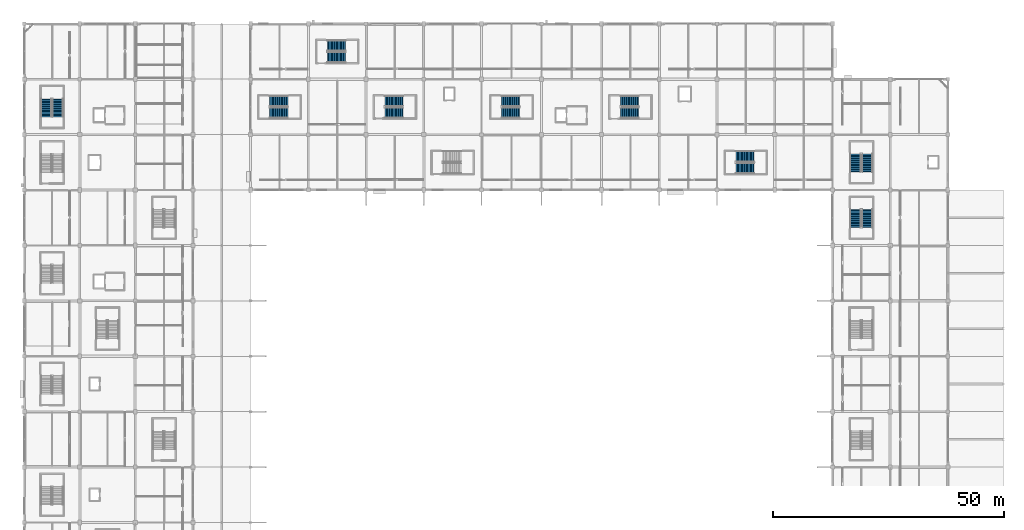
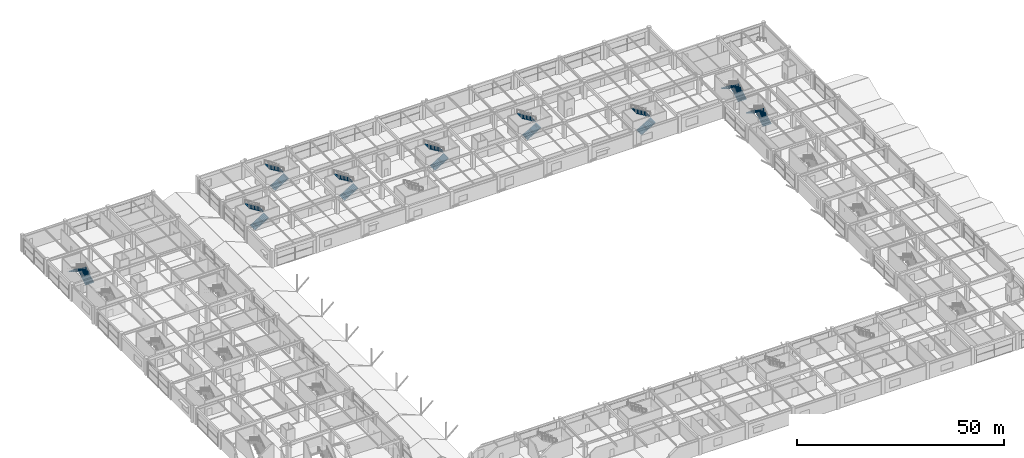
# One storey, part 85 of 116: 18 stair flights, 9 elements without a shape of their own.
"""IFC4 building model written with IfcOpenShell, lengths in metres."""

from ifc_helpers import new_model, si_unit, direction, frame, origin, place, context, subcontext, project, spatial, polyline, outline, extrude, material, type_object, element, aggregate, save


model = new_model("IFC4")

# Units and contexts
model_context = context("Model", 3, precision=1e-05, world=origin(), true_north=direction((0.0, 1.0)))
body_context = subcontext(model_context, "Body", "Model", "MODEL_VIEW")
ifc_project = project(units=[si_unit("LENGTHUNIT", "METRE"), si_unit("AREAUNIT", "SQUARE_METRE"), si_unit("VOLUMEUNIT", "CUBIC_METRE"), si_unit("PLANEANGLEUNIT", "RADIAN"), si_unit("MASSUNIT", "GRAM", prefix="KILO")], contexts=[model_context])

# Site, building, storey
site_placement = place(None, origin())
site = spatial("IfcSite", under=ifc_project, at=site_placement, CompositionType="ELEMENT")
building_placement = place(site_placement, origin())
building = spatial("IfcBuilding", under=site, at=building_placement, Name="Kazenohara Klinker Stadium", CompositionType="ELEMENT")
storey_placement = place(building_placement, frame((0.0, 0.0, 10.199951171875)))
storey = spatial("IfcBuildingStorey", under=building, at=storey_placement, Name="L02", CompositionType="ELEMENT", Elevation=10.199951171875)

# Stair, stair flights
ifc_material = material(Name="Concrete C40/50", Category="concrete")
stair_type_1 = type_object("IfcStairType", Name="STR-DL-2300", PredefinedType="HALF_TURN_STAIR", material=ifc_material)
stair_1_placement = place(storey_placement, origin())
stair_1 = element("IfcStair", 1, at=stair_1_placement, inside=storey, type_object=stair_type_1, Name="L02 Enclosed escape stair ST09", PredefinedType="HALF_TURN_STAIR")
stair_flight_type_1 = type_object("IfcStairFlightType", Name="FLT-DL-2300-5100", PredefinedType="STRAIGHT", material=ifc_material)
stair_flight_1_placement = place(storey_placement, frame((78.090087890625, 148.75, 0.0), z_axis=(0.0, 0.0, 1.0), x_axis=(1.0, 0.0, 0.0)))
stair_flight_1 = element("IfcStairFlight", 2, at=stair_flight_1_placement, type_object=stair_flight_type_1, Name="ST09 flight 1", NumberOfRisers=15, NumberOfTreads=14, PredefinedType="STRAIGHT", RiserHeight=0.17, TreadLength=0.28, context=body_context, shape_type="SweptSolid", body=[
    extrude(outline(polyline([(0.0, 0.0), (0.0, 0.169921875), (0.280029296875, 0.169921875), (0.280029296875, 0.340087890625), (0.56005859375, 0.340087890625), (0.56005859375, 0.510009765625), (0.840087890625, 0.510009765625), (0.840087890625, 0.679931640625), (1.1201171875, 0.679931640625), (1.1201171875, 0.85009765625), (1.39990234375, 0.85009765625), (1.39990234375, 1.02001953125), (1.679931640625, 1.02001953125), (1.679931640625, 1.18994140625), (1.9599609375, 1.18994140625), (1.9599609375, 1.360107421875), (2.239990234375, 1.360107421875), (2.239990234375, 1.530029296875), (2.52001953125, 1.530029296875), (2.52001953125, 1.699951171875), (2.800048828125, 1.699951171875), (2.800048828125, 1.8701171875), (3.080078125, 1.8701171875), (3.080078125, 2.0400390625), (3.360107421875, 2.0400390625), (3.360107421875, 2.2099609375), (3.639892578125, 2.2099609375), (3.639892578125, 2.3798828125), (3.919921875, 2.3798828125), (3.919921875, 2.550048828125), (3.919921875, 2.20458984375), (0.288818359375, 0.0), (0.0, 0.0)])), frame((0.0, 1.14990234375, 0.0), z_axis=(0.0, -1.0, 0.0), x_axis=(1.0, 0.0, 0.0)), (0.0, 0.0, 1.0), 2.300048828125),
])
stair_flight_2_placement = place(storey_placement, frame((82.010009765625, 151.25, 2.550048828125), z_axis=(0.0, 0.0, 1.0), x_axis=(-1.0, 0.0, 0.0)))
stair_flight_2 = element("IfcStairFlight", 3, at=stair_flight_2_placement, type_object=stair_flight_type_1, Name="ST09 flight 2", NumberOfRisers=15, NumberOfTreads=14, PredefinedType="STRAIGHT", RiserHeight=0.17, TreadLength=0.28, context=body_context, shape_type="SweptSolid", body=[
    extrude(outline(polyline([(0.0, 0.0), (0.0, 0.169921875), (0.280029296875, 0.169921875), (0.280029296875, 0.340087890625), (0.56005859375, 0.340087890625), (0.56005859375, 0.510009765625), (0.840087890625, 0.510009765625), (0.840087890625, 0.679931640625), (1.1201171875, 0.679931640625), (1.1201171875, 0.85009765625), (1.39990234375, 0.85009765625), (1.39990234375, 1.02001953125), (1.679931640625, 1.02001953125), (1.679931640625, 1.18994140625), (1.9599609375, 1.18994140625), (1.9599609375, 1.360107421875), (2.239990234375, 1.360107421875), (2.239990234375, 1.530029296875), (2.52001953125, 1.530029296875), (2.52001953125, 1.699951171875), (2.800048828125, 1.699951171875), (2.800048828125, 1.8701171875), (3.080078125, 1.8701171875), (3.080078125, 2.0400390625), (3.360107421875, 2.0400390625), (3.360107421875, 2.2099609375), (3.639892578125, 2.2099609375), (3.639892578125, 2.3798828125), (3.919921875, 2.3798828125), (3.919921875, 2.550048828125), (3.919921875, 2.20458984375), (0.288818359375, 0.0), (0.0, 0.0)])), frame((0.0, 1.14990234375, 0.0), z_axis=(0.0, -1.0, 0.0), x_axis=(1.0, 0.0, 0.0)), (0.0, 0.0, 1.0), 2.300048828125),
])
aggregate(stair_1, [stair_flight_1, stair_flight_2])

stair_type_2 = type_object("IfcStairType", Name="STR-DL-2310", PredefinedType="HALF_TURN_STAIR", material=ifc_material)
stair_2_placement = place(storey_placement, origin())
stair_2 = element("IfcStair", 4, at=stair_2_placement, inside=storey, type_object=stair_type_2, Name="L02 Enclosed escape stair ST06", PredefinedType="HALF_TURN_STAIR")
stair_flight_type_2 = type_object("IfcStairFlightType", Name="FLT-DL-2310-5100", PredefinedType="STRAIGHT", material=ifc_material)
stair_flight_3_placement = place(storey_placement, frame((7.2548828125, 147.85009765625, 0.0), z_axis=(0.0, 0.0, 1.0), x_axis=(0.0, 1.0, 0.0)))
stair_flight_3 = element("IfcStairFlight", 5, at=stair_flight_3_placement, type_object=stair_flight_type_2, Name="ST06 flight 1", NumberOfRisers=15, NumberOfTreads=14, PredefinedType="STRAIGHT", RiserHeight=0.17, TreadLength=0.28, context=body_context, shape_type="SweptSolid", body=[
    extrude(outline(polyline([(0.0, 0.0), (0.0, 0.169921875), (0.280029296875, 0.169921875), (0.280029296875, 0.340087890625), (0.56005859375, 0.340087890625), (0.56005859375, 0.510009765625), (0.840087890625, 0.510009765625), (0.840087890625, 0.679931640625), (1.1201171875, 0.679931640625), (1.1201171875, 0.85009765625), (1.39990234375, 0.85009765625), (1.39990234375, 1.02001953125), (1.679931640625, 1.02001953125), (1.679931640625, 1.18994140625), (1.9599609375, 1.18994140625), (1.9599609375, 1.360107421875), (2.239990234375, 1.360107421875), (2.239990234375, 1.530029296875), (2.52001953125, 1.530029296875), (2.52001953125, 1.699951171875), (2.800048828125, 1.699951171875), (2.800048828125, 1.8701171875), (3.080078125, 1.8701171875), (3.080078125, 2.0400390625), (3.360107421875, 2.0400390625), (3.360107421875, 2.2099609375), (3.639892578125, 2.2099609375), (3.639892578125, 2.3798828125), (3.919921875, 2.3798828125), (3.919921875, 2.550048828125), (3.919921875, 2.20458984375), (0.288818359375, 0.0), (0.0, 0.0)])), frame((0.0, 1.155029296875, 0.0), z_axis=(0.0, -1.0, 0.0), x_axis=(1.0, 0.0, 0.0)), (0.0, 0.0, 1.0), 2.31005859375),
])
stair_flight_4_placement = place(storey_placement, frame((4.7451171875, 151.77001953125, 2.550048828125), z_axis=(0.0, 0.0, 1.0), x_axis=(0.0, -1.0, 0.0)))
stair_flight_4 = element("IfcStairFlight", 6, at=stair_flight_4_placement, type_object=stair_flight_type_2, Name="ST06 flight 2", NumberOfRisers=15, NumberOfTreads=14, PredefinedType="STRAIGHT", RiserHeight=0.17, TreadLength=0.28, context=body_context, shape_type="SweptSolid", body=[
    extrude(outline(polyline([(0.0, 0.0), (0.0, 0.169921875), (0.280029296875, 0.169921875), (0.280029296875, 0.340087890625), (0.56005859375, 0.340087890625), (0.56005859375, 0.510009765625), (0.840087890625, 0.510009765625), (0.840087890625, 0.679931640625), (1.1201171875, 0.679931640625), (1.1201171875, 0.85009765625), (1.39990234375, 0.85009765625), (1.39990234375, 1.02001953125), (1.679931640625, 1.02001953125), (1.679931640625, 1.18994140625), (1.9599609375, 1.18994140625), (1.9599609375, 1.360107421875), (2.239990234375, 1.360107421875), (2.239990234375, 1.530029296875), (2.52001953125, 1.530029296875), (2.52001953125, 1.699951171875), (2.800048828125, 1.699951171875), (2.800048828125, 1.8701171875), (3.080078125, 1.8701171875), (3.080078125, 2.0400390625), (3.360107421875, 2.0400390625), (3.360107421875, 2.2099609375), (3.639892578125, 2.2099609375), (3.639892578125, 2.3798828125), (3.919921875, 2.3798828125), (3.919921875, 2.550048828125), (3.919921875, 2.20458984375), (0.288818359375, 0.0), (0.0, 0.0)])), frame((0.0, 1.155029296875, 0.0), z_axis=(0.0, -1.0, 0.0), x_axis=(1.0, 0.0, 0.0)), (0.0, 0.0, 1.0), 2.31005859375),
])
aggregate(stair_2, [stair_flight_3, stair_flight_4])

stair_3_placement = place(storey_placement, origin())
stair_3 = element("IfcStair", 7, at=stair_3_placement, inside=storey, type_object=stair_type_2, Name="L02 Enclosed escape stair ST10", PredefinedType="HALF_TURN_STAIR")
stair_flight_5_placement = place(storey_placement, frame((103.35009765625, 148.7451171875, 0.0), z_axis=(0.0, 0.0, 1.0), x_axis=(1.0, 0.0, 0.0)))
stair_flight_5 = element("IfcStairFlight", 8, at=stair_flight_5_placement, type_object=stair_flight_type_2, Name="ST10 flight 1", NumberOfRisers=15, NumberOfTreads=14, PredefinedType="STRAIGHT", RiserHeight=0.17, TreadLength=0.28, context=body_context, shape_type="SweptSolid", body=[
    extrude(outline(polyline([(0.0, 0.0), (0.0, 0.169921875), (0.280029296875, 0.169921875), (0.280029296875, 0.340087890625), (0.56005859375, 0.340087890625), (0.56005859375, 0.510009765625), (0.840087890625, 0.510009765625), (0.840087890625, 0.679931640625), (1.1201171875, 0.679931640625), (1.1201171875, 0.85009765625), (1.39990234375, 0.85009765625), (1.39990234375, 1.02001953125), (1.679931640625, 1.02001953125), (1.679931640625, 1.18994140625), (1.9599609375, 1.18994140625), (1.9599609375, 1.360107421875), (2.239990234375, 1.360107421875), (2.239990234375, 1.530029296875), (2.52001953125, 1.530029296875), (2.52001953125, 1.699951171875), (2.800048828125, 1.699951171875), (2.800048828125, 1.8701171875), (3.080078125, 1.8701171875), (3.080078125, 2.0400390625), (3.360107421875, 2.0400390625), (3.360107421875, 2.2099609375), (3.639892578125, 2.2099609375), (3.639892578125, 2.3798828125), (3.919921875, 2.3798828125), (3.919921875, 2.550048828125), (3.919921875, 2.20458984375), (0.288818359375, 0.0), (0.0, 0.0)])), frame((0.0, 1.155029296875, 0.0), z_axis=(0.0, -1.0, 0.0), x_axis=(1.0, 0.0, 0.0)), (0.0, 0.0, 1.0), 2.31005859375),
])
stair_flight_6_placement = place(storey_placement, frame((107.27001953125, 151.2548828125, 2.550048828125), z_axis=(0.0, 0.0, 1.0), x_axis=(-1.0, 0.0, 0.0)))
stair_flight_6 = element("IfcStairFlight", 9, at=stair_flight_6_placement, type_object=stair_flight_type_2, Name="ST10 flight 2", NumberOfRisers=15, NumberOfTreads=14, PredefinedType="STRAIGHT", RiserHeight=0.17, TreadLength=0.28, context=body_context, shape_type="SweptSolid", body=[
    extrude(outline(polyline([(0.0, 0.0), (0.0, 0.169921875), (0.280029296875, 0.169921875), (0.280029296875, 0.340087890625), (0.56005859375, 0.340087890625), (0.56005859375, 0.510009765625), (0.840087890625, 0.510009765625), (0.840087890625, 0.679931640625), (1.1201171875, 0.679931640625), (1.1201171875, 0.85009765625), (1.39990234375, 0.85009765625), (1.39990234375, 1.02001953125), (1.679931640625, 1.02001953125), (1.679931640625, 1.18994140625), (1.9599609375, 1.18994140625), (1.9599609375, 1.360107421875), (2.239990234375, 1.360107421875), (2.239990234375, 1.530029296875), (2.52001953125, 1.530029296875), (2.52001953125, 1.699951171875), (2.800048828125, 1.699951171875), (2.800048828125, 1.8701171875), (3.080078125, 1.8701171875), (3.080078125, 2.0400390625), (3.360107421875, 2.0400390625), (3.360107421875, 2.2099609375), (3.639892578125, 2.2099609375), (3.639892578125, 2.3798828125), (3.919921875, 2.3798828125), (3.919921875, 2.550048828125), (3.919921875, 2.20458984375), (0.288818359375, 0.0), (0.0, 0.0)])), frame((0.0, 1.155029296875, 0.0), z_axis=(0.0, -1.0, 0.0), x_axis=(1.0, 0.0, 0.0)), (0.0, 0.0, 1.0), 2.31005859375),
])
aggregate(stair_3, [stair_flight_5, stair_flight_6])

stair_type_3 = type_object("IfcStairType", Name="STR-DL-2330", PredefinedType="HALF_TURN_STAIR", material=ifc_material)
stair_4_placement = place(storey_placement, origin())
stair_4 = element("IfcStair", 10, at=stair_4_placement, inside=storey, type_object=stair_type_3, Name="L02 Enclosed escape stair ST11", PredefinedType="HALF_TURN_STAIR")
stair_flight_type_3 = type_object("IfcStairFlightType", Name="FLT-DL-2330-5100", PredefinedType="STRAIGHT", material=ifc_material)
stair_flight_7_placement = place(storey_placement, frame((129.1201171875, 148.735107421875, 0.0), z_axis=(0.0, 0.0, 1.0), x_axis=(1.0, 0.0, 0.0)))
stair_flight_7 = element("IfcStairFlight", 11, at=stair_flight_7_placement, type_object=stair_flight_type_3, Name="ST11 flight 1", NumberOfRisers=15, NumberOfTreads=14, PredefinedType="STRAIGHT", RiserHeight=0.17, TreadLength=0.28, context=body_context, shape_type="SweptSolid", body=[
    extrude(outline(polyline([(0.0, 0.0), (0.0, 0.169921875), (0.280029296875, 0.169921875), (0.280029296875, 0.340087890625), (0.56005859375, 0.340087890625), (0.56005859375, 0.510009765625), (0.840087890625, 0.510009765625), (0.840087890625, 0.679931640625), (1.1201171875, 0.679931640625), (1.1201171875, 0.85009765625), (1.39990234375, 0.85009765625), (1.39990234375, 1.02001953125), (1.679931640625, 1.02001953125), (1.679931640625, 1.18994140625), (1.9599609375, 1.18994140625), (1.9599609375, 1.360107421875), (2.239990234375, 1.360107421875), (2.239990234375, 1.530029296875), (2.52001953125, 1.530029296875), (2.52001953125, 1.699951171875), (2.800048828125, 1.699951171875), (2.800048828125, 1.8701171875), (3.080078125, 1.8701171875), (3.080078125, 2.0400390625), (3.360107421875, 2.0400390625), (3.360107421875, 2.2099609375), (3.639892578125, 2.2099609375), (3.639892578125, 2.3798828125), (3.919921875, 2.3798828125), (3.919921875, 2.550048828125), (3.919921875, 2.20458984375), (0.288818359375, 0.0), (0.0, 0.0)])), frame((0.0, 1.1650390625, 0.0), z_axis=(0.0, -1.0, 0.0), x_axis=(1.0, 0.0, 0.0)), (0.0, 0.0, 1.0), 2.330078125),
])
stair_flight_8_placement = place(storey_placement, frame((133.0400390625, 151.264892578125, 2.550048828125), z_axis=(0.0, 0.0, 1.0), x_axis=(-1.0, 0.0, 0.0)))
stair_flight_8 = element("IfcStairFlight", 12, at=stair_flight_8_placement, type_object=stair_flight_type_3, Name="ST11 flight 2", NumberOfRisers=15, NumberOfTreads=14, PredefinedType="STRAIGHT", RiserHeight=0.17, TreadLength=0.28, context=body_context, shape_type="SweptSolid", body=[
    extrude(outline(polyline([(0.0, 0.0), (0.0, 0.169921875), (0.280029296875, 0.169921875), (0.280029296875, 0.340087890625), (0.56005859375, 0.340087890625), (0.56005859375, 0.510009765625), (0.840087890625, 0.510009765625), (0.840087890625, 0.679931640625), (1.1201171875, 0.679931640625), (1.1201171875, 0.85009765625), (1.39990234375, 0.85009765625), (1.39990234375, 1.02001953125), (1.679931640625, 1.02001953125), (1.679931640625, 1.18994140625), (1.9599609375, 1.18994140625), (1.9599609375, 1.360107421875), (2.239990234375, 1.360107421875), (2.239990234375, 1.530029296875), (2.52001953125, 1.530029296875), (2.52001953125, 1.699951171875), (2.800048828125, 1.699951171875), (2.800048828125, 1.8701171875), (3.080078125, 1.8701171875), (3.080078125, 2.0400390625), (3.360107421875, 2.0400390625), (3.360107421875, 2.2099609375), (3.639892578125, 2.2099609375), (3.639892578125, 2.3798828125), (3.919921875, 2.3798828125), (3.919921875, 2.550048828125), (3.919921875, 2.20458984375), (0.288818359375, 0.0), (0.0, 0.0)])), frame((0.0, 1.1650390625, 0.0), z_axis=(0.0, -1.0, 0.0), x_axis=(1.0, 0.0, 0.0)), (0.0, 0.0, 1.0), 2.330078125),
])
aggregate(stair_4, [stair_flight_7, stair_flight_8])

stair_5_placement = place(storey_placement, origin())
stair_5 = element("IfcStair", 13, at=stair_5_placement, inside=storey, type_object=stair_type_3, Name="L02 Enclosed escape stair ST15", PredefinedType="HALF_TURN_STAIR")
stair_flight_9_placement = place(storey_placement, frame((65.6201171875, 160.735107421875, 0.0), z_axis=(0.0, 0.0, 1.0), x_axis=(1.0, 0.0, 0.0)))
stair_flight_9 = element("IfcStairFlight", 14, at=stair_flight_9_placement, type_object=stair_flight_type_3, Name="ST15 flight 1", NumberOfRisers=15, NumberOfTreads=14, PredefinedType="STRAIGHT", RiserHeight=0.17, TreadLength=0.28, context=body_context, shape_type="SweptSolid", body=[
    extrude(outline(polyline([(0.0, 0.0), (0.0, 0.169921875), (0.280029296875, 0.169921875), (0.280029296875, 0.340087890625), (0.56005859375, 0.340087890625), (0.56005859375, 0.510009765625), (0.840087890625, 0.510009765625), (0.840087890625, 0.679931640625), (1.1201171875, 0.679931640625), (1.1201171875, 0.85009765625), (1.39990234375, 0.85009765625), (1.39990234375, 1.02001953125), (1.679931640625, 1.02001953125), (1.679931640625, 1.18994140625), (1.9599609375, 1.18994140625), (1.9599609375, 1.360107421875), (2.239990234375, 1.360107421875), (2.239990234375, 1.530029296875), (2.52001953125, 1.530029296875), (2.52001953125, 1.699951171875), (2.800048828125, 1.699951171875), (2.800048828125, 1.8701171875), (3.080078125, 1.8701171875), (3.080078125, 2.0400390625), (3.360107421875, 2.0400390625), (3.360107421875, 2.2099609375), (3.639892578125, 2.2099609375), (3.639892578125, 2.3798828125), (3.919921875, 2.3798828125), (3.919921875, 2.550048828125), (3.919921875, 2.20458984375), (0.288818359375, 0.0), (0.0, 0.0)])), frame((0.0, 1.1650390625, 0.0), z_axis=(0.0, -1.0, 0.0), x_axis=(1.0, 0.0, 0.0)), (0.0, 0.0, 1.0), 2.330078125),
])
stair_flight_10_placement = place(storey_placement, frame((69.5400390625, 163.264892578125, 2.550048828125), z_axis=(0.0, 0.0, 1.0), x_axis=(-1.0, 0.0, 0.0)))
stair_flight_10 = element("IfcStairFlight", 15, at=stair_flight_10_placement, type_object=stair_flight_type_3, Name="ST15 flight 2", NumberOfRisers=15, NumberOfTreads=14, PredefinedType="STRAIGHT", RiserHeight=0.17, TreadLength=0.28, context=body_context, shape_type="SweptSolid", body=[
    extrude(outline(polyline([(0.0, 0.0), (0.0, 0.169921875), (0.280029296875, 0.169921875), (0.280029296875, 0.340087890625), (0.56005859375, 0.340087890625), (0.56005859375, 0.510009765625), (0.840087890625, 0.510009765625), (0.840087890625, 0.679931640625), (1.1201171875, 0.679931640625), (1.1201171875, 0.85009765625), (1.39990234375, 0.85009765625), (1.39990234375, 1.02001953125), (1.679931640625, 1.02001953125), (1.679931640625, 1.18994140625), (1.9599609375, 1.18994140625), (1.9599609375, 1.360107421875), (2.239990234375, 1.360107421875), (2.239990234375, 1.530029296875), (2.52001953125, 1.530029296875), (2.52001953125, 1.699951171875), (2.800048828125, 1.699951171875), (2.800048828125, 1.8701171875), (3.080078125, 1.8701171875), (3.080078125, 2.0400390625), (3.360107421875, 2.0400390625), (3.360107421875, 2.2099609375), (3.639892578125, 2.2099609375), (3.639892578125, 2.3798828125), (3.919921875, 2.3798828125), (3.919921875, 2.550048828125), (3.919921875, 2.20458984375), (0.288818359375, 0.0), (0.0, 0.0)])), frame((0.0, 1.1650390625, 0.0), z_axis=(0.0, -1.0, 0.0), x_axis=(1.0, 0.0, 0.0)), (0.0, 0.0, 1.0), 2.330078125),
])
aggregate(stair_5, [stair_flight_9, stair_flight_10])

stair_type_4 = type_object("IfcStairType", Name="STR-DL-2340", PredefinedType="HALF_TURN_STAIR", material=ifc_material)
stair_6_placement = place(storey_placement, origin())
stair_6 = element("IfcStair", 16, at=stair_6_placement, inside=storey, type_object=stair_type_4, Name="L02 Enclosed escape stair ST08", PredefinedType="HALF_TURN_STAIR")
stair_flight_type_4 = type_object("IfcStairFlightType", Name="FLT-DL-2340-5100", PredefinedType="STRAIGHT", material=ifc_material)
stair_flight_11_placement = place(storey_placement, frame((53.1298828125, 148.72998046875, 0.0), z_axis=(0.0, 0.0, 1.0), x_axis=(1.0, 0.0, 0.0)))
stair_flight_11 = element("IfcStairFlight", 17, at=stair_flight_11_placement, type_object=stair_flight_type_4, Name="ST08 flight 1", NumberOfRisers=15, NumberOfTreads=14, PredefinedType="STRAIGHT", RiserHeight=0.17, TreadLength=0.28, context=body_context, shape_type="SweptSolid", body=[
    extrude(outline(polyline([(0.0, 0.0), (0.0, 0.169921875), (0.280029296875, 0.169921875), (0.280029296875, 0.340087890625), (0.56005859375, 0.340087890625), (0.56005859375, 0.510009765625), (0.840087890625, 0.510009765625), (0.840087890625, 0.679931640625), (1.1201171875, 0.679931640625), (1.1201171875, 0.85009765625), (1.39990234375, 0.85009765625), (1.39990234375, 1.02001953125), (1.679931640625, 1.02001953125), (1.679931640625, 1.18994140625), (1.9599609375, 1.18994140625), (1.9599609375, 1.360107421875), (2.239990234375, 1.360107421875), (2.239990234375, 1.530029296875), (2.52001953125, 1.530029296875), (2.52001953125, 1.699951171875), (2.800048828125, 1.699951171875), (2.800048828125, 1.8701171875), (3.080078125, 1.8701171875), (3.080078125, 2.0400390625), (3.360107421875, 2.0400390625), (3.360107421875, 2.2099609375), (3.639892578125, 2.2099609375), (3.639892578125, 2.3798828125), (3.919921875, 2.3798828125), (3.919921875, 2.550048828125), (3.919921875, 2.20458984375), (0.288818359375, 0.0), (0.0, 0.0)])), frame((0.0, 1.169921875, 0.0), z_axis=(0.0, -1.0, 0.0), x_axis=(1.0, 0.0, 0.0)), (0.0, 0.0, 1.0), 2.340087890625),
])
stair_flight_12_placement = place(storey_placement, frame((57.050048828125, 151.27001953125, 2.550048828125), z_axis=(0.0, 0.0, 1.0), x_axis=(-1.0, 0.0, 0.0)))
stair_flight_12 = element("IfcStairFlight", 18, at=stair_flight_12_placement, type_object=stair_flight_type_4, Name="ST08 flight 2", NumberOfRisers=15, NumberOfTreads=14, PredefinedType="STRAIGHT", RiserHeight=0.17, TreadLength=0.28, context=body_context, shape_type="SweptSolid", body=[
    extrude(outline(polyline([(0.0, 0.0), (0.0, 0.169921875), (0.280029296875, 0.169921875), (0.280029296875, 0.340087890625), (0.56005859375, 0.340087890625), (0.56005859375, 0.510009765625), (0.840087890625, 0.510009765625), (0.840087890625, 0.679931640625), (1.1201171875, 0.679931640625), (1.1201171875, 0.85009765625), (1.39990234375, 0.85009765625), (1.39990234375, 1.02001953125), (1.679931640625, 1.02001953125), (1.679931640625, 1.18994140625), (1.9599609375, 1.18994140625), (1.9599609375, 1.360107421875), (2.239990234375, 1.360107421875), (2.239990234375, 1.530029296875), (2.52001953125, 1.530029296875), (2.52001953125, 1.699951171875), (2.800048828125, 1.699951171875), (2.800048828125, 1.8701171875), (3.080078125, 1.8701171875), (3.080078125, 2.0400390625), (3.360107421875, 2.0400390625), (3.360107421875, 2.2099609375), (3.639892578125, 2.2099609375), (3.639892578125, 2.3798828125), (3.919921875, 2.3798828125), (3.919921875, 2.550048828125), (3.919921875, 2.20458984375), (0.288818359375, 0.0), (0.0, 0.0)])), frame((0.0, 1.169921875, 0.0), z_axis=(0.0, -1.0, 0.0), x_axis=(1.0, 0.0, 0.0)), (0.0, 0.0, 1.0), 2.340087890625),
])
aggregate(stair_6, [stair_flight_11, stair_flight_12])

stair_7_placement = place(storey_placement, origin())
stair_7 = element("IfcStair", 19, at=stair_7_placement, inside=storey, type_object=stair_type_4, Name="L02 Enclosed escape stair ST12", PredefinedType="HALF_TURN_STAIR")
stair_flight_13_placement = place(storey_placement, frame((182.52001953125, 135.8798828125, 0.0), z_axis=(0.0, 0.0, 1.0), x_axis=(0.0, 1.0, 0.0)))
stair_flight_13 = element("IfcStairFlight", 20, at=stair_flight_13_placement, type_object=stair_flight_type_4, Name="ST12 flight 1", NumberOfRisers=15, NumberOfTreads=14, PredefinedType="STRAIGHT", RiserHeight=0.17, TreadLength=0.28, context=body_context, shape_type="SweptSolid", body=[
    extrude(outline(polyline([(0.0, 0.0), (0.0, 0.169921875), (0.280029296875, 0.169921875), (0.280029296875, 0.340087890625), (0.56005859375, 0.340087890625), (0.56005859375, 0.510009765625), (0.840087890625, 0.510009765625), (0.840087890625, 0.679931640625), (1.1201171875, 0.679931640625), (1.1201171875, 0.85009765625), (1.39990234375, 0.85009765625), (1.39990234375, 1.02001953125), (1.679931640625, 1.02001953125), (1.679931640625, 1.18994140625), (1.9599609375, 1.18994140625), (1.9599609375, 1.360107421875), (2.239990234375, 1.360107421875), (2.239990234375, 1.530029296875), (2.52001953125, 1.530029296875), (2.52001953125, 1.699951171875), (2.800048828125, 1.699951171875), (2.800048828125, 1.8701171875), (3.080078125, 1.8701171875), (3.080078125, 2.0400390625), (3.360107421875, 2.0400390625), (3.360107421875, 2.2099609375), (3.639892578125, 2.2099609375), (3.639892578125, 2.3798828125), (3.919921875, 2.3798828125), (3.919921875, 2.550048828125), (3.919921875, 2.20458984375), (0.288818359375, 0.0), (0.0, 0.0)])), frame((0.0, 1.169921875, 0.0), z_axis=(0.0, -1.0, 0.0), x_axis=(1.0, 0.0, 0.0)), (0.0, 0.0, 1.0), 2.340087890625),
])
stair_flight_14_placement = place(storey_placement, frame((179.97998046875, 139.800048828125, 2.550048828125), z_axis=(0.0, 0.0, 1.0), x_axis=(0.0, -1.0, 0.0)))
stair_flight_14 = element("IfcStairFlight", 21, at=stair_flight_14_placement, type_object=stair_flight_type_4, Name="ST12 flight 2", NumberOfRisers=15, NumberOfTreads=14, PredefinedType="STRAIGHT", RiserHeight=0.17, TreadLength=0.28, context=body_context, shape_type="SweptSolid", body=[
    extrude(outline(polyline([(0.0, 0.0), (0.0, 0.169921875), (0.280029296875, 0.169921875), (0.280029296875, 0.340087890625), (0.56005859375, 0.340087890625), (0.56005859375, 0.510009765625), (0.840087890625, 0.510009765625), (0.840087890625, 0.679931640625), (1.1201171875, 0.679931640625), (1.1201171875, 0.85009765625), (1.39990234375, 0.85009765625), (1.39990234375, 1.02001953125), (1.679931640625, 1.02001953125), (1.679931640625, 1.18994140625), (1.9599609375, 1.18994140625), (1.9599609375, 1.360107421875), (2.239990234375, 1.360107421875), (2.239990234375, 1.530029296875), (2.52001953125, 1.530029296875), (2.52001953125, 1.699951171875), (2.800048828125, 1.699951171875), (2.800048828125, 1.8701171875), (3.080078125, 1.8701171875), (3.080078125, 2.0400390625), (3.360107421875, 2.0400390625), (3.360107421875, 2.2099609375), (3.639892578125, 2.2099609375), (3.639892578125, 2.3798828125), (3.919921875, 2.3798828125), (3.919921875, 2.550048828125), (3.919921875, 2.20458984375), (0.288818359375, 0.0), (0.0, 0.0)])), frame((0.0, 1.169921875, 0.0), z_axis=(0.0, -1.0, 0.0), x_axis=(1.0, 0.0, 0.0)), (0.0, 0.0, 1.0), 2.340087890625),
])
aggregate(stair_7, [stair_flight_13, stair_flight_14])

stair_8_placement = place(storey_placement, origin())
stair_8 = element("IfcStair", 22, at=stair_8_placement, inside=storey, type_object=stair_type_4, Name="L02 Enclosed escape stair ST20", PredefinedType="HALF_TURN_STAIR")
stair_flight_15_placement = place(storey_placement, frame((154.1298828125, 136.72998046875, 0.0), z_axis=(0.0, 0.0, 1.0), x_axis=(1.0, 0.0, 0.0)))
stair_flight_15 = element("IfcStairFlight", 23, at=stair_flight_15_placement, type_object=stair_flight_type_4, Name="ST20 flight 1", NumberOfRisers=15, NumberOfTreads=14, PredefinedType="STRAIGHT", RiserHeight=0.17, TreadLength=0.28, context=body_context, shape_type="SweptSolid", body=[
    extrude(outline(polyline([(0.0, 0.0), (0.0, 0.169921875), (0.280029296875, 0.169921875), (0.280029296875, 0.340087890625), (0.56005859375, 0.340087890625), (0.56005859375, 0.510009765625), (0.840087890625, 0.510009765625), (0.840087890625, 0.679931640625), (1.1201171875, 0.679931640625), (1.1201171875, 0.85009765625), (1.39990234375, 0.85009765625), (1.39990234375, 1.02001953125), (1.679931640625, 1.02001953125), (1.679931640625, 1.18994140625), (1.9599609375, 1.18994140625), (1.9599609375, 1.360107421875), (2.239990234375, 1.360107421875), (2.239990234375, 1.530029296875), (2.52001953125, 1.530029296875), (2.52001953125, 1.699951171875), (2.800048828125, 1.699951171875), (2.800048828125, 1.8701171875), (3.080078125, 1.8701171875), (3.080078125, 2.0400390625), (3.360107421875, 2.0400390625), (3.360107421875, 2.2099609375), (3.639892578125, 2.2099609375), (3.639892578125, 2.3798828125), (3.919921875, 2.3798828125), (3.919921875, 2.550048828125), (3.919921875, 2.20458984375), (0.288818359375, 0.0), (0.0, 0.0)])), frame((0.0, 1.169921875, 0.0), z_axis=(0.0, -1.0, 0.0), x_axis=(1.0, 0.0, 0.0)), (0.0, 0.0, 1.0), 2.340087890625),
])
stair_flight_16_placement = place(storey_placement, frame((158.050048828125, 139.27001953125, 2.550048828125), z_axis=(0.0, 0.0, 1.0), x_axis=(-1.0, 0.0, 0.0)))
stair_flight_16 = element("IfcStairFlight", 24, at=stair_flight_16_placement, type_object=stair_flight_type_4, Name="ST20 flight 2", NumberOfRisers=15, NumberOfTreads=14, PredefinedType="STRAIGHT", RiserHeight=0.17, TreadLength=0.28, context=body_context, shape_type="SweptSolid", body=[
    extrude(outline(polyline([(0.0, 0.0), (0.0, 0.169921875), (0.280029296875, 0.169921875), (0.280029296875, 0.340087890625), (0.56005859375, 0.340087890625), (0.56005859375, 0.510009765625), (0.840087890625, 0.510009765625), (0.840087890625, 0.679931640625), (1.1201171875, 0.679931640625), (1.1201171875, 0.85009765625), (1.39990234375, 0.85009765625), (1.39990234375, 1.02001953125), (1.679931640625, 1.02001953125), (1.679931640625, 1.18994140625), (1.9599609375, 1.18994140625), (1.9599609375, 1.360107421875), (2.239990234375, 1.360107421875), (2.239990234375, 1.530029296875), (2.52001953125, 1.530029296875), (2.52001953125, 1.699951171875), (2.800048828125, 1.699951171875), (2.800048828125, 1.8701171875), (3.080078125, 1.8701171875), (3.080078125, 2.0400390625), (3.360107421875, 2.0400390625), (3.360107421875, 2.2099609375), (3.639892578125, 2.2099609375), (3.639892578125, 2.3798828125), (3.919921875, 2.3798828125), (3.919921875, 2.550048828125), (3.919921875, 2.20458984375), (0.288818359375, 0.0), (0.0, 0.0)])), frame((0.0, 1.169921875, 0.0), z_axis=(0.0, -1.0, 0.0), x_axis=(1.0, 0.0, 0.0)), (0.0, 0.0, 1.0), 2.340087890625),
])
aggregate(stair_8, [stair_flight_15, stair_flight_16])

stair_9_placement = place(storey_placement, origin())
stair_9 = element("IfcStair", 25, at=stair_9_placement, inside=storey, type_object=stair_type_4, Name="L02 Enclosed escape stair ST24", PredefinedType="HALF_TURN_STAIR")
stair_flight_17_placement = place(storey_placement, frame((182.52001953125, 123.8798828125, 0.0), z_axis=(0.0, 0.0, 1.0), x_axis=(0.0, 1.0, 0.0)))
stair_flight_17 = element("IfcStairFlight", 26, at=stair_flight_17_placement, type_object=stair_flight_type_4, Name="ST24 flight 1", NumberOfRisers=15, NumberOfTreads=14, PredefinedType="STRAIGHT", RiserHeight=0.17, TreadLength=0.28, context=body_context, shape_type="SweptSolid", body=[
    extrude(outline(polyline([(0.0, 0.0), (0.0, 0.169921875), (0.280029296875, 0.169921875), (0.280029296875, 0.340087890625), (0.56005859375, 0.340087890625), (0.56005859375, 0.510009765625), (0.840087890625, 0.510009765625), (0.840087890625, 0.679931640625), (1.1201171875, 0.679931640625), (1.1201171875, 0.85009765625), (1.39990234375, 0.85009765625), (1.39990234375, 1.02001953125), (1.679931640625, 1.02001953125), (1.679931640625, 1.18994140625), (1.9599609375, 1.18994140625), (1.9599609375, 1.360107421875), (2.239990234375, 1.360107421875), (2.239990234375, 1.530029296875), (2.52001953125, 1.530029296875), (2.52001953125, 1.699951171875), (2.800048828125, 1.699951171875), (2.800048828125, 1.8701171875), (3.080078125, 1.8701171875), (3.080078125, 2.0400390625), (3.360107421875, 2.0400390625), (3.360107421875, 2.2099609375), (3.639892578125, 2.2099609375), (3.639892578125, 2.3798828125), (3.919921875, 2.3798828125), (3.919921875, 2.550048828125), (3.919921875, 2.20458984375), (0.288818359375, 0.0), (0.0, 0.0)])), frame((0.0, 1.169921875, 0.0), z_axis=(0.0, -1.0, 0.0), x_axis=(1.0, 0.0, 0.0)), (0.0, 0.0, 1.0), 2.340087890625),
])
stair_flight_18_placement = place(storey_placement, frame((179.97998046875, 127.800048828125, 2.550048828125), z_axis=(0.0, 0.0, 1.0), x_axis=(0.0, -1.0, 0.0)))
stair_flight_18 = element("IfcStairFlight", 27, at=stair_flight_18_placement, type_object=stair_flight_type_4, Name="ST24 flight 2", NumberOfRisers=15, NumberOfTreads=14, PredefinedType="STRAIGHT", RiserHeight=0.17, TreadLength=0.28, context=body_context, shape_type="SweptSolid", body=[
    extrude(outline(polyline([(0.0, 0.0), (0.0, 0.169921875), (0.280029296875, 0.169921875), (0.280029296875, 0.340087890625), (0.56005859375, 0.340087890625), (0.56005859375, 0.510009765625), (0.840087890625, 0.510009765625), (0.840087890625, 0.679931640625), (1.1201171875, 0.679931640625), (1.1201171875, 0.85009765625), (1.39990234375, 0.85009765625), (1.39990234375, 1.02001953125), (1.679931640625, 1.02001953125), (1.679931640625, 1.18994140625), (1.9599609375, 1.18994140625), (1.9599609375, 1.360107421875), (2.239990234375, 1.360107421875), (2.239990234375, 1.530029296875), (2.52001953125, 1.530029296875), (2.52001953125, 1.699951171875), (2.800048828125, 1.699951171875), (2.800048828125, 1.8701171875), (3.080078125, 1.8701171875), (3.080078125, 2.0400390625), (3.360107421875, 2.0400390625), (3.360107421875, 2.2099609375), (3.639892578125, 2.2099609375), (3.639892578125, 2.3798828125), (3.919921875, 2.3798828125), (3.919921875, 2.550048828125), (3.919921875, 2.20458984375), (0.288818359375, 0.0), (0.0, 0.0)])), frame((0.0, 1.169921875, 0.0), z_axis=(0.0, -1.0, 0.0), x_axis=(1.0, 0.0, 0.0)), (0.0, 0.0, 1.0), 2.340087890625),
])
aggregate(stair_9, [stair_flight_17, stair_flight_18])

save(model, "model.ifc")
